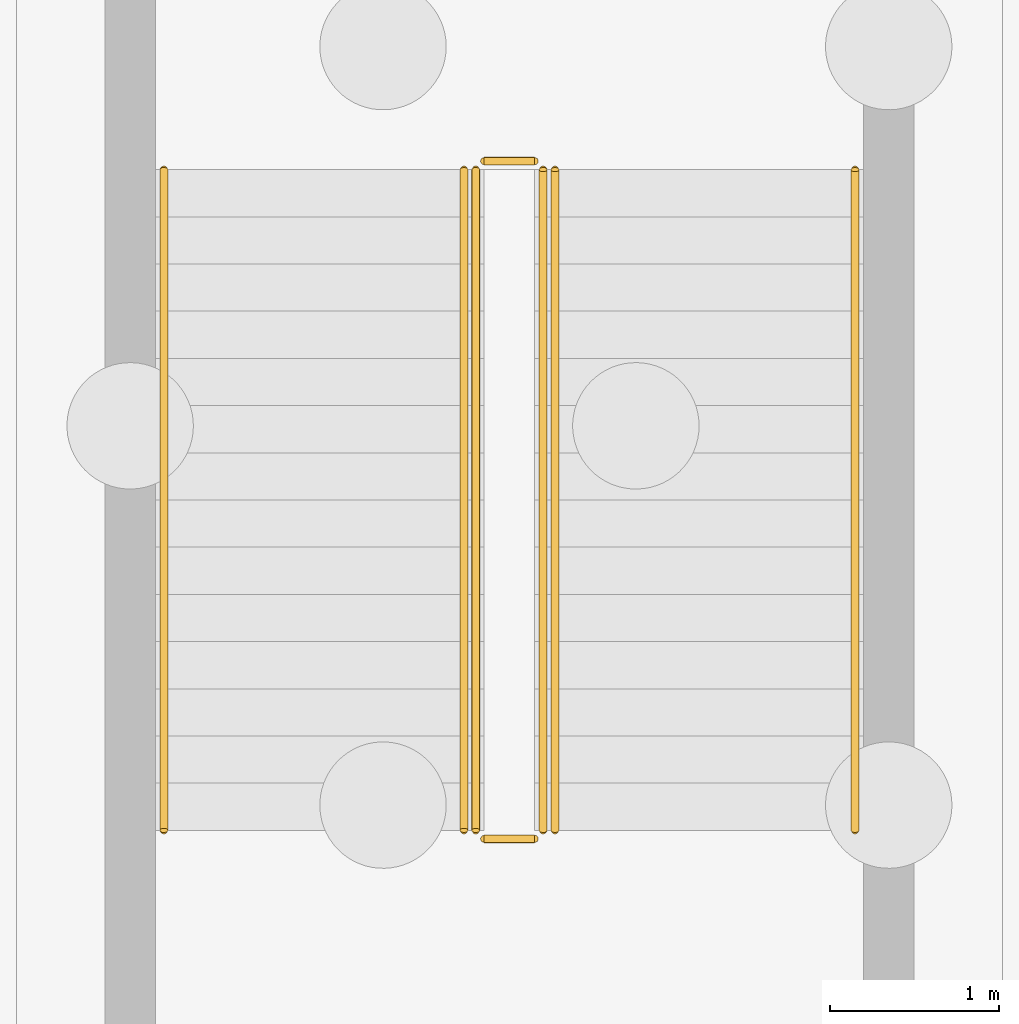
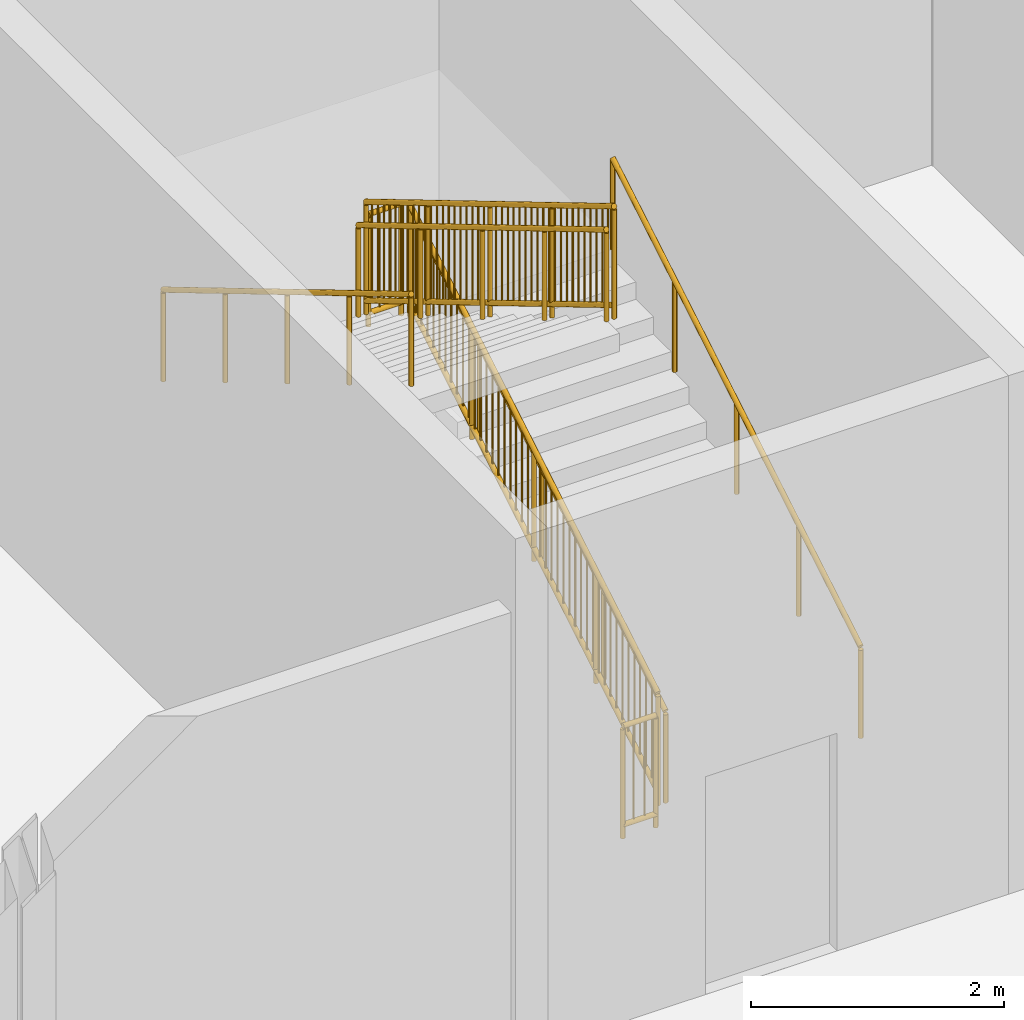
# One storey, part 24 of 25: 8 railings.
"""IFC4 building model written with IfcOpenShell, lengths in metres."""

import ifcopenshell
import ifcopenshell.guid

model = None  # the IFC model being written
_history = None  # IfcOwnerHistory: only IFC2X3 demands one
_inside = {}  # id of a spatial element -> (the spatial element, [elements in it])
_under = {}  # id of a project, library or spatial element -> (it, [spatial elements below it])
_declared = {}  # id of a project -> (the project, [libraries it declares])
_typed = {}  # id of a type object -> (the type object, [elements of that type])
_made_of = {}  # id of a material, layer set ... -> (it, [elements and type objects made of it])


def new_model(schema):
    """Start an empty IFC model of exactly this schema.

    Asked for "IFC4X3", IfcOpenShell would pick the latest addendum, in which some entities
    have other attributes; the version numbers below select the first issue.
    IFC2X3 requires an IfcOwnerHistory on every rooted entity: one is made here for all.
    """
    global model, _history
    if schema == "IFC4X3":
        model = ifcopenshell.file(schema_version=(4, 3, 0, 0))
    else:
        model = ifcopenshell.file(schema=schema)
    _inside.clear()
    _under.clear()
    _declared.clear()
    _typed.clear()
    _made_of.clear()
    _history = None
    if model.schema == "IFC2X3":
        org = make("IfcOrganization", Name="unknown")
        user = make(
            "IfcPersonAndOrganization",
            ThePerson=make("IfcPerson", FamilyName="unknown"),
            TheOrganization=org,
        )
        app = make(
            "IfcApplication",
            ApplicationDeveloper=org,
            Version="unknown",
            ApplicationFullName="unknown",
            ApplicationIdentifier="unknown",
        )
        _history = make(
            "IfcOwnerHistory",
            OwningUser=user,
            OwningApplication=app,
            ChangeAction="ADDED",
            CreationDate=0,
        )
    return model


def make(cls, **values):
    """One entity of the class cls with the attributes given. An attribute that is None is left unset."""
    return model.create_entity(
        cls, **{name: value for name, value in values.items() if value is not None}
    )


def rooted(cls, **values):
    """An entity with a GlobalId (a new one), such as an element, a storey or a relation."""
    return make(cls, GlobalId=ifcopenshell.guid.new(), OwnerHistory=_history, **values)


def si_unit(unit_type, name, prefix=None):
    """IfcSIUnit, for example si_unit("LENGTHUNIT", "METRE", prefix="MILLI")."""
    return make("IfcSIUnit", UnitType=unit_type, Prefix=prefix, Name=name)


def assignment(units):
    """IfcUnitAssignment: the units of a project."""
    return None if units is None else make("IfcUnitAssignment", Units=units)


def point(xyz):
    """IfcCartesianPoint."""
    return None if xyz is None else make("IfcCartesianPoint", Coordinates=xyz)


def direction(xyz):
    """IfcDirection."""
    return None if xyz is None else make("IfcDirection", DirectionRatios=xyz)


def frame(location, z_axis=None, x_axis=None):
    """IfcAxis2Placement3D, a coordinate frame: its origin and axes. An axis left out is left unset."""
    return make(
        "IfcAxis2Placement3D",
        Location=point(location),
        Axis=direction(z_axis),
        RefDirection=direction(x_axis),
    )


def frame_2d(location, x_axis=None):
    """IfcAxis2Placement2D, a coordinate frame in the plane: its origin and x axis."""
    return make(
        "IfcAxis2Placement2D", Location=point(location), RefDirection=direction(x_axis)
    )


def origin():
    """The frame at (0, 0, 0) with its axes left unset."""
    return frame((0.0, 0.0, 0.0))


def origin_2d():
    """The frame at (0, 0) in the plane with its x axis left unset."""
    return frame_2d((0.0, 0.0))


def place(relative_to, where):
    """IfcLocalPlacement: puts the frame where relative to a parent placement (None: the world)."""
    return make(
        "IfcLocalPlacement", PlacementRelTo=relative_to, RelativePlacement=where
    )


def context(
    kind, dimensions, precision=None, world=None, true_north=None, identifier=None
):
    """IfcGeometricRepresentationContext, for example the 3D "Model" context."""
    return make(
        "IfcGeometricRepresentationContext",
        ContextIdentifier=identifier,
        ContextType=kind,
        CoordinateSpaceDimension=dimensions,
        Precision=precision,
        WorldCoordinateSystem=world,
        TrueNorth=true_north,
    )


def subcontext(parent, identifier, kind, view, scale=None):
    """IfcGeometricRepresentationSubContext, for example "Body" below "Model"."""
    return make(
        "IfcGeometricRepresentationSubContext",
        ContextIdentifier=identifier,
        ContextType=kind,
        ParentContext=parent,
        TargetScale=scale,
        TargetView=view,
    )


def project(units=None, contexts=None):
    """IfcProject with its units and contexts."""
    return rooted(
        "IfcProject",
        Name="project",
        RepresentationContexts=contexts,
        UnitsInContext=assignment(units),
    )


def spatial(cls, under=None, at=None, **own):
    """A site, building, storey or space (cls), placed at a placement, below another one or the project."""
    s = rooted(cls, ObjectPlacement=at, **own)
    if under is not None:
        _under.setdefault(under.id(), (under, []))[1].append(s)
    return s


def profile(cls, at=None, kind="AREA", **sizes):
    """A parametric profile (cls). Its sizes go by their IFC names, for example OverallWidth=200.0."""
    return make(cls, ProfileType=kind, Position=at, **sizes)


def circle(**sizes):
    """IfcCircleProfileDef."""
    return profile("IfcCircleProfileDef", **sizes)


def extrude(swept, where, along, depth):
    """IfcExtrudedAreaSolid: the profile swept, set in the frame where, extruded along a direction by depth."""
    return make(
        "IfcExtrudedAreaSolid",
        SweptArea=swept,
        Position=where,
        ExtrudedDirection=direction(along),
        Depth=depth,
    )


def shape(context_of_items, identifier, shape_type, items):
    """IfcShapeRepresentation: the items that make up one representation, for example the "Body"."""
    return make(
        "IfcShapeRepresentation",
        ContextOfItems=context_of_items,
        RepresentationIdentifier=identifier,
        RepresentationType=shape_type,
        Items=items,
    )


def material(Name=None, Category=None):
    """IfcMaterial."""
    return make("IfcMaterial", Name=Name, Category=Category)


def made_of(thing, what):
    """Note that an element or type object is made of a material, layer set ...; save() writes the relation."""
    if what is not None:
        _made_of.setdefault(what.id(), (what, []))[1].append(thing)
    return thing


def type_object(cls, material=None, **own):
    """A type object (cls), such as IfcWallType, which elements share."""
    return made_of(rooted(cls, **own), material)


def element(
    cls,
    number,
    at=None,
    inside=None,
    cuts=None,
    type_object=None,
    material=None,
    context=None,
    identifier="Body",
    shape_type=None,
    held_by="IfcProductDefinitionShape",
    body=None,
    shapes=None,
    **own,
):
    """One element of the class cls, such as IfcWall. Its Tag is "e" and its number.

    at: its placement. inside: the storey or other place that contains it. cuts: it is an
    opening in that element (IfcRelVoidsElement). A single representation is given by context,
    identifier, shape_type and body (its items); several are given by shapes. held_by: the class
    of the entity that holds the representations. save() writes the other relations.
    """
    e = rooted(cls, Tag="e%d" % number, ObjectPlacement=at, **own)
    if body is not None:
        shapes = [shape(context, identifier, shape_type, body)]
    if shapes is not None:
        e.Representation = make(held_by, Representations=shapes)
    if inside is not None:
        _inside.setdefault(inside.id(), (inside, []))[1].append(e)
    if cuts is not None:
        rooted(
            "IfcRelVoidsElement", RelatingBuildingElement=cuts, RelatedOpeningElement=e
        )
    if type_object is not None:
        _typed.setdefault(type_object.id(), (type_object, []))[1].append(e)
    return made_of(e, material)


def aggregate(whole, parts):
    """IfcRelAggregates: a whole, such as a stair, and the parts it consists of."""
    return rooted("IfcRelAggregates", RelatingObject=whole, RelatedObjects=parts)


def save(model, path):
    """Write the relations noted so far, then the file.

    IfcRelAggregates (storeys below a building ...), IfcRelContainedInSpatialStructure (elements
    in a storey), IfcRelDefinesByType, IfcRelAssociatesMaterial and IfcRelDeclares: one each for
    every whole, place, type object, material and project.
    """
    for whole, parts in _under.values():
        aggregate(whole, parts)
    for where, things in _inside.values():
        rooted(
            "IfcRelContainedInSpatialStructure",
            RelatedElements=things,
            RelatingStructure=where,
        )
    for kind, things in _typed.values():
        rooted("IfcRelDefinesByType", RelatedObjects=things, RelatingType=kind)
    for what, things in _made_of.values():
        rooted("IfcRelAssociatesMaterial", RelatedObjects=things, RelatingMaterial=what)
    for by, libraries in _declared.values():
        rooted("IfcRelDeclares", RelatingContext=by, RelatedDefinitions=libraries)
    model.write(path)


model = new_model("IFC4")

# Units and contexts
model_context = context("Model", 3, precision=1e-05, world=origin(), true_north=direction((0.0, 1.0)))
body_context = subcontext(model_context, "Body", "Model", "MODEL_VIEW")
ifc_project = project(units=[si_unit("LENGTHUNIT", "METRE"), si_unit("AREAUNIT", "SQUARE_METRE"), si_unit("VOLUMEUNIT", "CUBIC_METRE"), si_unit("PLANEANGLEUNIT", "RADIAN"), si_unit("MASSUNIT", "GRAM", prefix="KILO")], contexts=[model_context])

# Site, building, storey
site_placement = place(None, origin())
site = spatial("IfcSite", under=ifc_project, at=site_placement, CompositionType="ELEMENT")
building_placement = place(site_placement, origin())
building = spatial("IfcBuilding", under=site, at=building_placement, Name="Hortulan Conservatory and Botanical Research Centre", CompositionType="ELEMENT")
storey_placement = place(building_placement, frame((0.0, 0.0, -5.0)))
storey = spatial("IfcBuildingStorey", under=building, at=storey_placement, Name="B1", CompositionType="ELEMENT", Elevation=-5.0)

# Railings
ifc_material_1 = material(Name="Steel balustrade, bronze-charcoal paint", Category="steel")
railing_type_1 = type_object("IfcRailingType", Name="Stair Guard 1100", PredefinedType="GUARDRAIL", material=ifc_material_1)
railing_1_placement = place(storey_placement, frame((24.949951171875, 65.10009765625, 0.166748046875)))
element("IfcRailing", 1, at=railing_1_placement, inside=storey, type_object=railing_type_1, Name="Guard V2 B1 stair 1", PredefinedType="GUARDRAIL", context=body_context, shape_type="SweptSolid", body=[
    extrude(circle(Radius=0.02392578125, at=origin_2d()), frame((0.0, 0.0, 1.076171875), z_axis=(0.0, 0.859296244711, 0.511478214419), x_axis=(-1.0, 0.0, 0.0)), (0.0, 0.0, 1.0), 4.561767578125),
    extrude(circle(Radius=0.02392578125, at=origin_2d()), frame((0.0, 0.0, 0.1240234375), z_axis=(0.0, 0.859296244711, 0.511478214419), x_axis=(-1.0, 0.0, 0.0)), (0.0, 0.0, 1.0), 4.561767578125),
    extrude(circle(Radius=0.008056640625, at=origin_2d()), frame((0.0, 0.09326171875, 0.203857421875)), (0.0, 0.0, 1.0), 0.90380859375),
    extrude(circle(Radius=0.008056640625, at=origin_2d()), frame((0.0, 0.186767578125, 0.25927734375)), (0.0, 0.0, 1.0), 0.90380859375),
    extrude(circle(Radius=0.008056640625, at=origin_2d()), frame((0.0, 0.280029296875, 0.31494140625)), (0.0, 0.0, 1.0), 0.90380859375),
    extrude(circle(Radius=0.008056640625, at=origin_2d()), frame((0.0, 0.373291015625, 0.370361328125)), (0.0, 0.0, 1.0), 0.90380859375),
    extrude(circle(Radius=0.008056640625, at=origin_2d()), frame((0.0, 0.466552734375, 0.426025390625)), (0.0, 0.0, 1.0), 0.90380859375),
    extrude(circle(Radius=0.008056640625, at=origin_2d()), frame((0.0, 0.56005859375, 0.4814453125)), (0.0, 0.0, 1.0), 0.90380859375),
    extrude(circle(Radius=0.008056640625, at=origin_2d()), frame((0.0, 0.6533203125, 0.537109375)), (0.0, 0.0, 1.0), 0.90380859375),
    extrude(circle(Radius=0.008056640625, at=origin_2d()), frame((0.0, 0.74658203125, 0.592529296875)), (0.0, 0.0, 1.0), 0.90380859375),
    extrude(circle(Radius=0.008056640625, at=origin_2d()), frame((0.0, 0.840087890625, 0.648193359375)), (0.0, 0.0, 1.0), 0.90380859375),
    extrude(circle(Radius=0.008056640625, at=origin_2d()), frame((0.0, 0.933349609375, 0.70361328125)), (0.0, 0.0, 1.0), 0.90380859375),
    extrude(circle(Radius=0.008056640625, at=origin_2d()), frame((0.0, 1.026611328125, 0.75927734375)), (0.0, 0.0, 1.0), 0.90380859375),
    extrude(circle(Radius=0.008056640625, at=origin_2d()), frame((0.0, 1.119873046875, 0.81494140625)), (0.0, 0.0, 1.0), 0.90380859375),
    extrude(circle(Radius=0.008056640625, at=origin_2d()), frame((0.0, 1.21337890625, 0.870361328125)), (0.0, 0.0, 1.0), 0.90380859375),
    extrude(circle(Radius=0.008056640625, at=origin_2d()), frame((0.0, 1.306640625, 0.926025390625)), (0.0, 0.0, 1.0), 0.90380859375),
    extrude(circle(Radius=0.008056640625, at=origin_2d()), frame((0.0, 1.39990234375, 0.9814453125)), (0.0, 0.0, 1.0), 0.90380859375),
    extrude(circle(Radius=0.008056640625, at=origin_2d()), frame((0.0, 1.493408203125, 1.037109375)), (0.0, 0.0, 1.0), 0.90380859375),
    extrude(circle(Radius=0.008056640625, at=origin_2d()), frame((0.0, 1.586669921875, 1.092529296875)), (0.0, 0.0, 1.0), 0.90380859375),
    extrude(circle(Radius=0.008056640625, at=origin_2d()), frame((0.0, 1.679931640625, 1.148193359375)), (0.0, 0.0, 1.0), 0.90380859375),
    extrude(circle(Radius=0.008056640625, at=origin_2d()), frame((0.0, 1.773193359375, 1.20361328125)), (0.0, 0.0, 1.0), 0.90380859375),
    extrude(circle(Radius=0.008056640625, at=origin_2d()), frame((0.0, 1.86669921875, 1.25927734375)), (0.0, 0.0, 1.0), 0.90380859375),
    extrude(circle(Radius=0.008056640625, at=origin_2d()), frame((0.0, 1.9599609375, 1.31494140625)), (0.0, 0.0, 1.0), 0.90380859375),
    extrude(circle(Radius=0.008056640625, at=origin_2d()), frame((0.0, 2.05322265625, 1.370361328125)), (0.0, 0.0, 1.0), 0.90380859375),
    extrude(circle(Radius=0.008056640625, at=origin_2d()), frame((0.0, 2.146728515625, 1.426025390625)), (0.0, 0.0, 1.0), 0.90380859375),
    extrude(circle(Radius=0.008056640625, at=origin_2d()), frame((0.0, 2.239990234375, 1.4814453125)), (0.0, 0.0, 1.0), 0.90380859375),
    extrude(circle(Radius=0.008056640625, at=origin_2d()), frame((0.0, 2.333251953125, 1.537109375)), (0.0, 0.0, 1.0), 0.90380859375),
    extrude(circle(Radius=0.008056640625, at=origin_2d()), frame((0.0, 2.426513671875, 1.592529296875)), (0.0, 0.0, 1.0), 0.90380859375),
    extrude(circle(Radius=0.008056640625, at=origin_2d()), frame((0.0, 2.52001953125, 1.648193359375)), (0.0, 0.0, 1.0), 0.90380859375),
    extrude(circle(Radius=0.008056640625, at=origin_2d()), frame((0.0, 2.61328125, 1.70361328125)), (0.0, 0.0, 1.0), 0.90380859375),
    extrude(circle(Radius=0.008056640625, at=origin_2d()), frame((0.0, 2.70654296875, 1.75927734375)), (0.0, 0.0, 1.0), 0.90380859375),
    extrude(circle(Radius=0.008056640625, at=origin_2d()), frame((0.0, 2.800048828125, 1.814697265625)), (0.0, 0.0, 1.0), 0.90380859375),
    extrude(circle(Radius=0.008056640625, at=origin_2d()), frame((0.0, 2.893310546875, 1.870361328125)), (0.0, 0.0, 1.0), 0.90380859375),
    extrude(circle(Radius=0.008056640625, at=origin_2d()), frame((0.0, 2.986572265625, 1.926025390625)), (0.0, 0.0, 1.0), 0.90380859375),
    extrude(circle(Radius=0.008056640625, at=origin_2d()), frame((0.0, 3.079833984375, 1.9814453125)), (0.0, 0.0, 1.0), 0.90380859375),
    extrude(circle(Radius=0.008056640625, at=origin_2d()), frame((0.0, 3.17333984375, 2.037109375)), (0.0, 0.0, 1.0), 0.90380859375),
    extrude(circle(Radius=0.008056640625, at=origin_2d()), frame((0.0, 3.2666015625, 2.092529296875)), (0.0, 0.0, 1.0), 0.90380859375),
    extrude(circle(Radius=0.008056640625, at=origin_2d()), frame((0.0, 3.35986328125, 2.148193359375)), (0.0, 0.0, 1.0), 0.90380859375),
    extrude(circle(Radius=0.008056640625, at=origin_2d()), frame((0.0, 3.453369140625, 2.20361328125)), (0.0, 0.0, 1.0), 0.90380859375),
    extrude(circle(Radius=0.008056640625, at=origin_2d()), frame((0.0, 3.546630859375, 2.25927734375)), (0.0, 0.0, 1.0), 0.90380859375),
    extrude(circle(Radius=0.008056640625, at=origin_2d()), frame((0.0, 3.639892578125, 2.314697265625)), (0.0, 0.0, 1.0), 0.90380859375),
    extrude(circle(Radius=0.008056640625, at=origin_2d()), frame((0.0, 3.733154296875, 2.370361328125)), (0.0, 0.0, 1.0), 0.90380859375),
    extrude(circle(Radius=0.008056640625, at=origin_2d()), frame((0.0, 3.82666015625, 2.42578125)), (0.0, 0.0, 1.0), 0.90380859375),
    extrude(circle(Radius=0.02099609375, at=origin_2d()), origin(), (0.0, 0.0, 1.0), 1.052001953125),
    extrude(circle(Radius=0.02099609375, at=origin_2d()), frame((0.0, 0.97998046875, 0.583251953125)), (0.0, 0.0, 1.0), 1.052001953125),
    extrude(circle(Radius=0.02099609375, at=origin_2d()), frame((0.0, 1.9599609375, 1.16650390625)), (0.0, 0.0, 1.0), 1.052001953125),
    extrude(circle(Radius=0.02099609375, at=origin_2d()), frame((0.0, 2.93994140625, 1.75)), (0.0, 0.0, 1.0), 1.052001953125),
    extrude(circle(Radius=0.02099609375, at=origin_2d()), frame((0.0, 3.919921875, 2.333251953125)), (0.0, 0.0, 1.0), 1.052001953125),
])
railing_2_placement = place(storey_placement, frame((24.89990234375, 69.070068359375, 2.5)))
element("IfcRailing", 2, at=railing_2_placement, inside=storey, type_object=railing_type_1, Name="Guard V2 B1 stair 2", PredefinedType="GUARDRAIL", context=body_context, shape_type="SweptSolid", body=[
    extrude(circle(Radius=0.02392578125, at=origin_2d()), frame((0.0, 0.0, 1.076171875), z_axis=(-1.0, 0.0, 0.0), x_axis=(0.0, -1.0, 0.0)), (0.0, 0.0, 1.0), 0.2998046875),
    extrude(circle(Radius=0.02392578125, at=origin_2d()), frame((0.0, 0.0, 0.1240234375), z_axis=(-1.0, 0.0, 0.0), x_axis=(0.0, -1.0, 0.0)), (0.0, 0.0, 1.0), 0.2998046875),
    extrude(circle(Radius=0.008056640625, at=origin_2d()), frame((-0.099853515625, 0.0, 0.148193359375)), (0.0, 0.0, 1.0), 0.90380859375),
    extrude(circle(Radius=0.008056640625, at=origin_2d()), frame((-0.199951171875, 0.0, 0.148193359375)), (0.0, 0.0, 1.0), 0.90380859375),
    extrude(circle(Radius=0.02099609375, at=origin_2d()), origin(), (0.0, 0.0, 1.0), 1.052001953125),
    extrude(circle(Radius=0.02099609375, at=origin_2d()), frame((-0.2998046875, 0.0, 0.0)), (0.0, 0.0, 1.0), 1.052001953125),
])
railing_3_placement = place(storey_placement, frame((24.550048828125, 69.02001953125, 2.666748046875)))
element("IfcRailing", 3, at=railing_3_placement, inside=storey, type_object=railing_type_1, Name="Guard V2 B1 stair 3", PredefinedType="GUARDRAIL", context=body_context, shape_type="SweptSolid", body=[
    extrude(circle(Radius=0.02392578125, at=origin_2d()), frame((0.0, 0.0, 1.076171875), z_axis=(0.0, -0.859296244711, 0.511478214419), x_axis=(1.0, 0.0, 0.0)), (0.0, 0.0, 1.0), 4.561767578125),
    extrude(circle(Radius=0.02392578125, at=origin_2d()), frame((0.0, 0.0, 0.1240234375), z_axis=(0.0, -0.859296244711, 0.511478214419), x_axis=(1.0, 0.0, 0.0)), (0.0, 0.0, 1.0), 4.561767578125),
    extrude(circle(Radius=0.008056640625, at=origin_2d()), frame((0.0, -0.09326171875, 0.203857421875)), (0.0, 0.0, 1.0), 0.90380859375),
    extrude(circle(Radius=0.008056640625, at=origin_2d()), frame((0.0, -0.186767578125, 0.25927734375)), (0.0, 0.0, 1.0), 0.90380859375),
    extrude(circle(Radius=0.008056640625, at=origin_2d()), frame((0.0, -0.280029296875, 0.31494140625)), (0.0, 0.0, 1.0), 0.90380859375),
    extrude(circle(Radius=0.008056640625, at=origin_2d()), frame((0.0, -0.373291015625, 0.370361328125)), (0.0, 0.0, 1.0), 0.90380859375),
    extrude(circle(Radius=0.008056640625, at=origin_2d()), frame((0.0, -0.466552734375, 0.426025390625)), (0.0, 0.0, 1.0), 0.90380859375),
    extrude(circle(Radius=0.008056640625, at=origin_2d()), frame((0.0, -0.56005859375, 0.4814453125)), (0.0, 0.0, 1.0), 0.90380859375),
    extrude(circle(Radius=0.008056640625, at=origin_2d()), frame((0.0, -0.6533203125, 0.537109375)), (0.0, 0.0, 1.0), 0.90380859375),
    extrude(circle(Radius=0.008056640625, at=origin_2d()), frame((0.0, -0.74658203125, 0.592529296875)), (0.0, 0.0, 1.0), 0.90380859375),
    extrude(circle(Radius=0.008056640625, at=origin_2d()), frame((0.0, -0.840087890625, 0.648193359375)), (0.0, 0.0, 1.0), 0.90380859375),
    extrude(circle(Radius=0.008056640625, at=origin_2d()), frame((0.0, -0.933349609375, 0.70361328125)), (0.0, 0.0, 1.0), 0.90380859375),
    extrude(circle(Radius=0.008056640625, at=origin_2d()), frame((0.0, -1.026611328125, 0.75927734375)), (0.0, 0.0, 1.0), 0.90380859375),
    extrude(circle(Radius=0.008056640625, at=origin_2d()), frame((0.0, -1.119873046875, 0.81494140625)), (0.0, 0.0, 1.0), 0.90380859375),
    extrude(circle(Radius=0.008056640625, at=origin_2d()), frame((0.0, -1.21337890625, 0.870361328125)), (0.0, 0.0, 1.0), 0.90380859375),
    extrude(circle(Radius=0.008056640625, at=origin_2d()), frame((0.0, -1.306640625, 0.926025390625)), (0.0, 0.0, 1.0), 0.90380859375),
    extrude(circle(Radius=0.008056640625, at=origin_2d()), frame((0.0, -1.39990234375, 0.9814453125)), (0.0, 0.0, 1.0), 0.90380859375),
    extrude(circle(Radius=0.008056640625, at=origin_2d()), frame((0.0, -1.493408203125, 1.037109375)), (0.0, 0.0, 1.0), 0.90380859375),
    extrude(circle(Radius=0.008056640625, at=origin_2d()), frame((0.0, -1.586669921875, 1.092529296875)), (0.0, 0.0, 1.0), 0.90380859375),
    extrude(circle(Radius=0.008056640625, at=origin_2d()), frame((0.0, -1.679931640625, 1.148193359375)), (0.0, 0.0, 1.0), 0.90380859375),
    extrude(circle(Radius=0.008056640625, at=origin_2d()), frame((0.0, -1.773193359375, 1.20361328125)), (0.0, 0.0, 1.0), 0.90380859375),
    extrude(circle(Radius=0.008056640625, at=origin_2d()), frame((0.0, -1.86669921875, 1.25927734375)), (0.0, 0.0, 1.0), 0.90380859375),
    extrude(circle(Radius=0.008056640625, at=origin_2d()), frame((0.0, -1.9599609375, 1.31494140625)), (0.0, 0.0, 1.0), 0.90380859375),
    extrude(circle(Radius=0.008056640625, at=origin_2d()), frame((0.0, -2.05322265625, 1.370361328125)), (0.0, 0.0, 1.0), 0.90380859375),
    extrude(circle(Radius=0.008056640625, at=origin_2d()), frame((0.0, -2.146728515625, 1.426025390625)), (0.0, 0.0, 1.0), 0.90380859375),
    extrude(circle(Radius=0.008056640625, at=origin_2d()), frame((0.0, -2.239990234375, 1.4814453125)), (0.0, 0.0, 1.0), 0.90380859375),
    extrude(circle(Radius=0.008056640625, at=origin_2d()), frame((0.0, -2.333251953125, 1.537109375)), (0.0, 0.0, 1.0), 0.90380859375),
    extrude(circle(Radius=0.008056640625, at=origin_2d()), frame((0.0, -2.426513671875, 1.592529296875)), (0.0, 0.0, 1.0), 0.90380859375),
    extrude(circle(Radius=0.008056640625, at=origin_2d()), frame((0.0, -2.52001953125, 1.648193359375)), (0.0, 0.0, 1.0), 0.90380859375),
    extrude(circle(Radius=0.008056640625, at=origin_2d()), frame((0.0, -2.61328125, 1.70361328125)), (0.0, 0.0, 1.0), 0.90380859375),
    extrude(circle(Radius=0.008056640625, at=origin_2d()), frame((0.0, -2.70654296875, 1.75927734375)), (0.0, 0.0, 1.0), 0.90380859375),
    extrude(circle(Radius=0.008056640625, at=origin_2d()), frame((0.0, -2.800048828125, 1.814697265625)), (0.0, 0.0, 1.0), 0.90380859375),
    extrude(circle(Radius=0.008056640625, at=origin_2d()), frame((0.0, -2.893310546875, 1.870361328125)), (0.0, 0.0, 1.0), 0.90380859375),
    extrude(circle(Radius=0.008056640625, at=origin_2d()), frame((0.0, -2.986572265625, 1.926025390625)), (0.0, 0.0, 1.0), 0.90380859375),
    extrude(circle(Radius=0.008056640625, at=origin_2d()), frame((0.0, -3.079833984375, 1.9814453125)), (0.0, 0.0, 1.0), 0.90380859375),
    extrude(circle(Radius=0.008056640625, at=origin_2d()), frame((0.0, -3.17333984375, 2.037109375)), (0.0, 0.0, 1.0), 0.90380859375),
    extrude(circle(Radius=0.008056640625, at=origin_2d()), frame((0.0, -3.2666015625, 2.092529296875)), (0.0, 0.0, 1.0), 0.90380859375),
    extrude(circle(Radius=0.008056640625, at=origin_2d()), frame((0.0, -3.35986328125, 2.148193359375)), (0.0, 0.0, 1.0), 0.90380859375),
    extrude(circle(Radius=0.008056640625, at=origin_2d()), frame((0.0, -3.453369140625, 2.20361328125)), (0.0, 0.0, 1.0), 0.90380859375),
    extrude(circle(Radius=0.008056640625, at=origin_2d()), frame((0.0, -3.546630859375, 2.25927734375)), (0.0, 0.0, 1.0), 0.90380859375),
    extrude(circle(Radius=0.008056640625, at=origin_2d()), frame((0.0, -3.639892578125, 2.314697265625)), (0.0, 0.0, 1.0), 0.90380859375),
    extrude(circle(Radius=0.008056640625, at=origin_2d()), frame((0.0, -3.733154296875, 2.370361328125)), (0.0, 0.0, 1.0), 0.90380859375),
    extrude(circle(Radius=0.008056640625, at=origin_2d()), frame((0.0, -3.82666015625, 2.42578125)), (0.0, 0.0, 1.0), 0.90380859375),
    extrude(circle(Radius=0.02099609375, at=origin_2d()), origin(), (0.0, 0.0, 1.0), 1.052001953125),
    extrude(circle(Radius=0.02099609375, at=origin_2d()), frame((0.0, -0.97998046875, 0.583251953125)), (0.0, 0.0, 1.0), 1.052001953125),
    extrude(circle(Radius=0.02099609375, at=origin_2d()), frame((0.0, -1.9599609375, 1.16650390625)), (0.0, 0.0, 1.0), 1.052001953125),
    extrude(circle(Radius=0.02099609375, at=origin_2d()), frame((0.0, -2.93994140625, 1.75)), (0.0, 0.0, 1.0), 1.052001953125),
    extrude(circle(Radius=0.02099609375, at=origin_2d()), frame((0.0, -3.919921875, 2.333251953125)), (0.0, 0.0, 1.0), 1.052001953125),
])
railing_4_placement = place(storey_placement, frame((24.89990234375, 65.050048828125, 0.0)))
element("IfcRailing", 4, at=railing_4_placement, inside=storey, type_object=railing_type_1, Name="Guard V2 B1 stair 4", PredefinedType="GUARDRAIL", context=body_context, shape_type="SweptSolid", body=[
    extrude(circle(Radius=0.02392578125, at=origin_2d()), frame((0.0, 0.0, 1.076171875), z_axis=(-1.0, 0.0, 0.0), x_axis=(0.0, -1.0, 0.0)), (0.0, 0.0, 1.0), 0.2998046875),
    extrude(circle(Radius=0.02392578125, at=origin_2d()), frame((0.0, 0.0, 0.1240234375), z_axis=(-1.0, 0.0, 0.0), x_axis=(0.0, -1.0, 0.0)), (0.0, 0.0, 1.0), 0.2998046875),
    extrude(circle(Radius=0.008056640625, at=origin_2d()), frame((-0.099853515625, 0.0, 0.148193359375)), (0.0, 0.0, 1.0), 0.90380859375),
    extrude(circle(Radius=0.008056640625, at=origin_2d()), frame((-0.199951171875, 0.0, 0.148193359375)), (0.0, 0.0, 1.0), 0.90380859375),
    extrude(circle(Radius=0.02099609375, at=origin_2d()), origin(), (0.0, 0.0, 1.0), 1.052001953125),
    extrude(circle(Radius=0.02099609375, at=origin_2d()), frame((-0.2998046875, 0.0, 0.0)), (0.0, 0.0, 1.0), 1.052001953125),
])
ifc_material_2 = material(Name="Bronze handrail, polished", Category="metal")
railing_type_2 = type_object("IfcRailingType", Name="Stair Handrail 900", PredefinedType="HANDRAIL", material=ifc_material_2)
railing_5_placement = place(storey_placement, frame((26.800048828125, 65.10009765625, 0.166748046875)))
element("IfcRailing", 5, at=railing_5_placement, inside=storey, type_object=railing_type_2, Name="Handrail V2 B1 stair 1", PredefinedType="HANDRAIL", context=body_context, shape_type="SweptSolid", body=[
    extrude(circle(Radius=0.02392578125, at=origin_2d()), frame((0.0, 0.0, 0.8759765625), z_axis=(0.0, 0.859296244711, 0.511478214419), x_axis=(-1.0, 0.0, 0.0)), (0.0, 0.0, 1.0), 4.561767578125),
    extrude(circle(Radius=0.02099609375, at=origin_2d()), origin(), (0.0, 0.0, 1.0), 0.851806640625),
    extrude(circle(Radius=0.02099609375, at=origin_2d()), frame((0.0, 0.97998046875, 0.583251953125)), (0.0, 0.0, 1.0), 0.851806640625),
    extrude(circle(Radius=0.02099609375, at=origin_2d()), frame((0.0, 1.9599609375, 1.16650390625)), (0.0, 0.0, 1.0), 0.851806640625),
    extrude(circle(Radius=0.02099609375, at=origin_2d()), frame((0.0, 2.93994140625, 1.75)), (0.0, 0.0, 1.0), 0.851806640625),
    extrude(circle(Radius=0.02099609375, at=origin_2d()), frame((0.0, 3.919921875, 2.333251953125)), (0.0, 0.0, 1.0), 0.851806640625),
])
railing_6_placement = place(storey_placement, frame((22.699951171875, 69.02001953125, 2.666748046875)))
element("IfcRailing", 6, at=railing_6_placement, inside=storey, type_object=railing_type_2, Name="Handrail V2 B1 stair 2", PredefinedType="HANDRAIL", context=body_context, shape_type="SweptSolid", body=[
    extrude(circle(Radius=0.02392578125, at=origin_2d()), frame((0.0, 0.0, 0.8759765625), z_axis=(0.0, -0.859296244711, 0.511478214419), x_axis=(1.0, 0.0, 0.0)), (0.0, 0.0, 1.0), 4.561767578125),
    extrude(circle(Radius=0.02099609375, at=origin_2d()), origin(), (0.0, 0.0, 1.0), 0.851806640625),
    extrude(circle(Radius=0.02099609375, at=origin_2d()), frame((0.0, -0.97998046875, 0.583251953125)), (0.0, 0.0, 1.0), 0.851806640625),
    extrude(circle(Radius=0.02099609375, at=origin_2d()), frame((0.0, -1.9599609375, 1.16650390625)), (0.0, 0.0, 1.0), 0.851806640625),
    extrude(circle(Radius=0.02099609375, at=origin_2d()), frame((0.0, -2.93994140625, 1.75)), (0.0, 0.0, 1.0), 0.851806640625),
    extrude(circle(Radius=0.02099609375, at=origin_2d()), frame((0.0, -3.919921875, 2.333251953125)), (0.0, 0.0, 1.0), 0.851806640625),
])
railing_7_placement = place(storey_placement, frame((25.02001953125, 65.10009765625, 0.166748046875)))
element("IfcRailing", 7, at=railing_7_placement, inside=storey, type_object=railing_type_2, Name="Handrail V2 B1 stair 3", PredefinedType="HANDRAIL", context=body_context, shape_type="SweptSolid", body=[
    extrude(circle(Radius=0.02392578125, at=origin_2d()), frame((0.0, 0.0, 0.8759765625), z_axis=(0.0, 0.859296244711, 0.511478214419), x_axis=(-1.0, 0.0, 0.0)), (0.0, 0.0, 1.0), 4.561767578125),
    extrude(circle(Radius=0.02099609375, at=origin_2d()), origin(), (0.0, 0.0, 1.0), 0.851806640625),
    extrude(circle(Radius=0.02099609375, at=origin_2d()), frame((0.0, 0.97998046875, 0.583251953125)), (0.0, 0.0, 1.0), 0.851806640625),
    extrude(circle(Radius=0.02099609375, at=origin_2d()), frame((0.0, 1.9599609375, 1.16650390625)), (0.0, 0.0, 1.0), 0.851806640625),
    extrude(circle(Radius=0.02099609375, at=origin_2d()), frame((0.0, 2.93994140625, 1.75)), (0.0, 0.0, 1.0), 0.851806640625),
    extrude(circle(Radius=0.02099609375, at=origin_2d()), frame((0.0, 3.919921875, 2.333251953125)), (0.0, 0.0, 1.0), 0.851806640625),
])
railing_8_placement = place(storey_placement, frame((24.47998046875, 69.02001953125, 2.666748046875)))
element("IfcRailing", 8, at=railing_8_placement, inside=storey, type_object=railing_type_2, Name="Handrail V2 B1 stair 4", PredefinedType="HANDRAIL", context=body_context, shape_type="SweptSolid", body=[
    extrude(circle(Radius=0.02392578125, at=origin_2d()), frame((0.0, 0.0, 0.8759765625), z_axis=(0.0, -0.859296244711, 0.511478214419), x_axis=(1.0, 0.0, 0.0)), (0.0, 0.0, 1.0), 4.561767578125),
    extrude(circle(Radius=0.02099609375, at=origin_2d()), origin(), (0.0, 0.0, 1.0), 0.851806640625),
    extrude(circle(Radius=0.02099609375, at=origin_2d()), frame((0.0, -0.97998046875, 0.583251953125)), (0.0, 0.0, 1.0), 0.851806640625),
    extrude(circle(Radius=0.02099609375, at=origin_2d()), frame((0.0, -1.9599609375, 1.16650390625)), (0.0, 0.0, 1.0), 0.851806640625),
    extrude(circle(Radius=0.02099609375, at=origin_2d()), frame((0.0, -2.93994140625, 1.75)), (0.0, 0.0, 1.0), 0.851806640625),
    extrude(circle(Radius=0.02099609375, at=origin_2d()), frame((0.0, -3.919921875, 2.333251953125)), (0.0, 0.0, 1.0), 0.851806640625),
])

save(model, "model.ifc")
